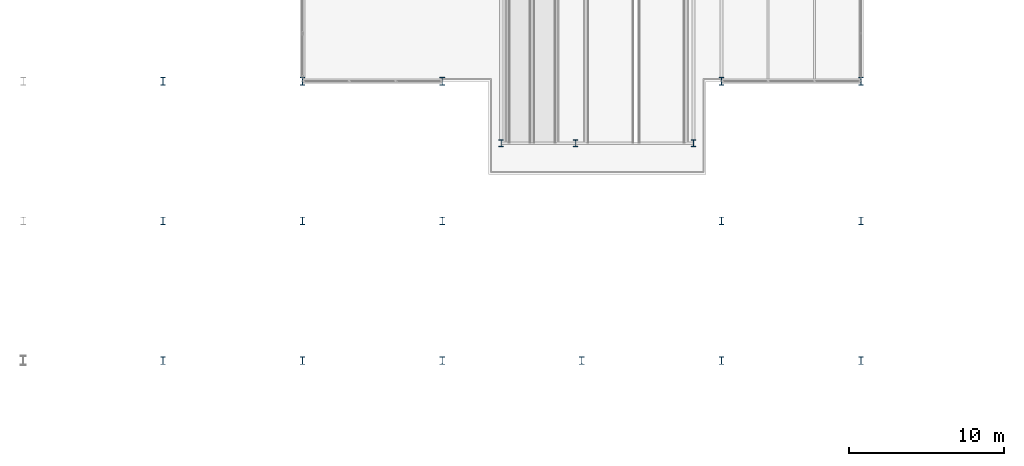
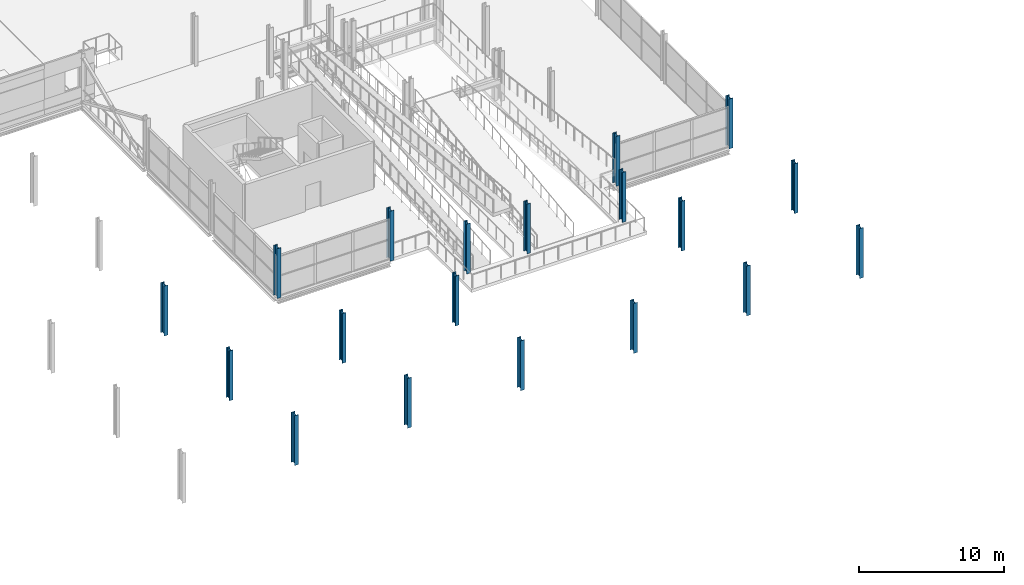
# One storey, part 3 of 103: 19 columns.
"""IFC4 building model written with IfcOpenShell, lengths in metres."""

from ifc_helpers import new_model, si_unit, direction, frame, origin, origin_2d, place, context, subcontext, project, spatial, i_section, extrude, material, material_profile, profile_set, type_object, element, save


model = new_model("IFC4")

# Units and contexts
model_context = context("Model", 3, precision=1e-05, world=origin(), true_north=direction((0.0, 1.0)))
body_context = subcontext(model_context, "Body", "Model", "MODEL_VIEW")
ifc_project = project(units=[si_unit("LENGTHUNIT", "METRE"), si_unit("AREAUNIT", "SQUARE_METRE"), si_unit("VOLUMEUNIT", "CUBIC_METRE"), si_unit("PLANEANGLEUNIT", "RADIAN"), si_unit("MASSUNIT", "GRAM", prefix="KILO")], contexts=[model_context])

# Site, building, storey
site_placement = place(None, origin())
site = spatial("IfcSite", under=ifc_project, at=site_placement, CompositionType="ELEMENT")
building_placement = place(site_placement, origin())
building = spatial("IfcBuilding", under=site, at=building_placement, Name="Deido Ridge Mobility Hub", CompositionType="ELEMENT")
storey_placement = place(building_placement, frame((0.0, 0.0, 12.60009765625)))
storey = spatial("IfcBuildingStorey", under=building, at=storey_placement, Name="L03", CompositionType="ELEMENT", Elevation=12.60009765625)

# Columns
ifc_material = material(Name="Steel S355J2 EN 10025-2", Category="steel")
ifc_material_profile_1 = material_profile(ifc_material, i_section(OverallWidth=0.300048828125, OverallDepth=0.449951171875, WebThickness=0.013916015625, FlangeThickness=0.02587890625, FilletRadius=0.027099609375, at=origin_2d()), Name="HEB 450")
ifc_profile_set_1 = profile_set([ifc_material_profile_1], Name="Steel S355J2 EN 10025-2")
column_type_1 = type_object("IfcColumnType", Name="COL-HEB450", PredefinedType="COLUMN", material=ifc_profile_set_1)
for number, where, z_axis, x_axis, name in (
    (1, (84.800048828125, 50.0, 0.0), (0.0, 0.0, 1.0), (1.0, 0.0, 0.0), "Structural column C6"),
    (2, (89.60009765625, 50.0, 0.0), (0.0, 0.0, 1.0), (1.0, 0.0, 0.0), "Structural column C6"),
    (3, (97.199951171875, 50.0, 0.0), (0.0, 0.0, 1.0), (1.0, 0.0, 0.0), "Structural column C6"),
):
    element("IfcColumn", number, at=place(storey_placement, frame(where, z_axis=z_axis, x_axis=x_axis)), inside=storey, type_object=column_type_1, Name=name, PredefinedType="COLUMN", context=body_context, shape_type="SweptSolid", body=[
        extrude(i_section(OverallWidth=0.300048828125, OverallDepth=0.449951171875, WebThickness=0.013916015625, FlangeThickness=0.02587890625, FilletRadius=0.027099609375, at=origin_2d()), origin(), (0.0, 0.0, 1.0), 4.199951171875),
    ])
ifc_material_profile_2 = material_profile(ifc_material, i_section(OverallWidth=0.300048828125, OverallDepth=0.5, WebThickness=0.014404296875, FlangeThickness=0.028076171875, FilletRadius=0.027099609375, at=origin_2d()), Name="HEB 500")
ifc_profile_set_2 = profile_set([ifc_material_profile_2], Name="Steel S355J2 EN 10025-2")
column_type_2 = type_object("IfcColumnType", Name="COL-HEB500", PredefinedType="COLUMN", material=ifc_profile_set_2)
for number, where, z_axis, x_axis, name in (
    (4, (72.0, 45.0, 0.0), (0.0, 0.0, 1.0), (1.0, 0.0, 0.0), "Structural column C5"),
    (5, (72.0, 54.0, 0.0), (0.0, 0.0, 1.0), (1.0, 0.0, 0.0), "Structural column C5"),
    (6, (81.0, 45.0, 0.0), (0.0, 0.0, 1.0), (1.0, 0.0, 0.0), "Structural column C5"),
    (7, (81.0, 54.0, 0.0), (0.0, 0.0, 1.0), (1.0, 0.0, 0.0), "Structural column C5"),
    (8, (99.0, 45.0, 0.0), (0.0, 0.0, 1.0), (1.0, 0.0, 0.0), "Structural column C5"),
    (9, (99.0, 54.0, 0.0), (0.0, 0.0, 1.0), (1.0, 0.0, 0.0), "Structural column C5"),
    (10, (108.0, 45.0, 0.0), (0.0, 0.0, 1.0), (1.0, 0.0, 0.0), "Structural column C5"),
    (11, (108.0, 54.0, 0.0), (0.0, 0.0, 1.0), (1.0, 0.0, 0.0), "Structural column C5"),
    (12, (63.0, 54.0, 0.0), (0.0, 0.0, 1.0), (1.0, 0.0, 0.0), "Structural column C5"),
    (13, (63.0, 36.0, 0.0), (0.0, 0.0, 1.0), (1.0, 0.0, 0.0), "Structural column C5"),
    (14, (63.0, 45.0, 0.0), (0.0, 0.0, 1.0), (1.0, 0.0, 0.0), "Structural column C5"),
    (15, (72.0, 36.0, 0.0), (0.0, 0.0, 1.0), (1.0, 0.0, 0.0), "Structural column C5"),
    (16, (81.0, 36.0, 0.0), (0.0, 0.0, 1.0), (1.0, 0.0, 0.0), "Structural column C5"),
    (17, (90.0, 36.0, 0.0), (0.0, 0.0, 1.0), (1.0, 0.0, 0.0), "Structural column C5"),
    (18, (99.0, 36.0, 0.0), (0.0, 0.0, 1.0), (1.0, 0.0, 0.0), "Structural column C5"),
    (19, (108.0, 36.0, 0.0), (0.0, 0.0, 1.0), (1.0, 0.0, 0.0), "Structural column C5"),
):
    element("IfcColumn", number, at=place(storey_placement, frame(where, z_axis=z_axis, x_axis=x_axis)), inside=storey, type_object=column_type_2, Name=name, PredefinedType="COLUMN", context=body_context, shape_type="SweptSolid", body=[
        extrude(i_section(OverallWidth=0.300048828125, OverallDepth=0.5, WebThickness=0.014404296875, FlangeThickness=0.028076171875, FilletRadius=0.027099609375, at=origin_2d()), origin(), (0.0, 0.0, 1.0), 4.199951171875),
    ])

save(model, "model.ifc")
